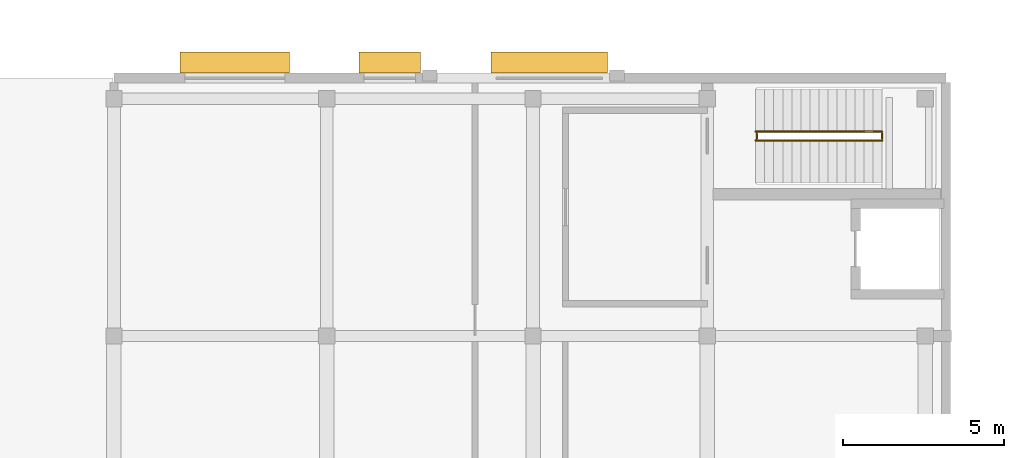
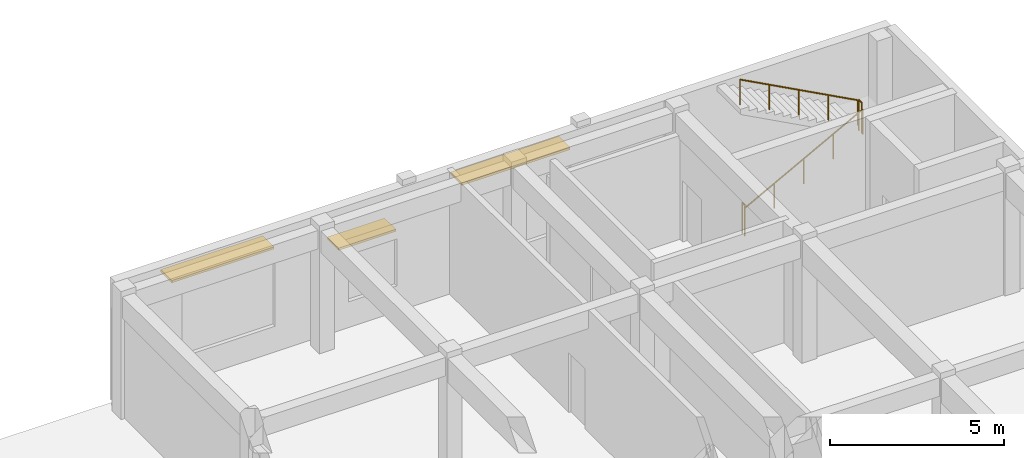
# One storey, part 43 of 45: 4 railings, 3 shading devices.
"""IFC4 building model written with IfcOpenShell, lengths in metres."""

import ifcopenshell
import ifcopenshell.guid

model = None  # the IFC model being written
_history = None  # IfcOwnerHistory: only IFC2X3 demands one
_inside = {}  # id of a spatial element -> (the spatial element, [elements in it])
_under = {}  # id of a project, library or spatial element -> (it, [spatial elements below it])
_declared = {}  # id of a project -> (the project, [libraries it declares])
_typed = {}  # id of a type object -> (the type object, [elements of that type])
_made_of = {}  # id of a material, layer set ... -> (it, [elements and type objects made of it])


def new_model(schema):
    """Start an empty IFC model of exactly this schema.

    Asked for "IFC4X3", IfcOpenShell would pick the latest addendum, in which some entities
    have other attributes; the version numbers below select the first issue.
    IFC2X3 requires an IfcOwnerHistory on every rooted entity: one is made here for all.
    """
    global model, _history
    if schema == "IFC4X3":
        model = ifcopenshell.file(schema_version=(4, 3, 0, 0))
    else:
        model = ifcopenshell.file(schema=schema)
    _inside.clear()
    _under.clear()
    _declared.clear()
    _typed.clear()
    _made_of.clear()
    _history = None
    if model.schema == "IFC2X3":
        org = make("IfcOrganization", Name="unknown")
        user = make(
            "IfcPersonAndOrganization",
            ThePerson=make("IfcPerson", FamilyName="unknown"),
            TheOrganization=org,
        )
        app = make(
            "IfcApplication",
            ApplicationDeveloper=org,
            Version="unknown",
            ApplicationFullName="unknown",
            ApplicationIdentifier="unknown",
        )
        _history = make(
            "IfcOwnerHistory",
            OwningUser=user,
            OwningApplication=app,
            ChangeAction="ADDED",
            CreationDate=0,
        )
    return model


def make(cls, **values):
    """One entity of the class cls with the attributes given. An attribute that is None is left unset."""
    return model.create_entity(
        cls, **{name: value for name, value in values.items() if value is not None}
    )


def rooted(cls, **values):
    """An entity with a GlobalId (a new one), such as an element, a storey or a relation."""
    return make(cls, GlobalId=ifcopenshell.guid.new(), OwnerHistory=_history, **values)


def si_unit(unit_type, name, prefix=None):
    """IfcSIUnit, for example si_unit("LENGTHUNIT", "METRE", prefix="MILLI")."""
    return make("IfcSIUnit", UnitType=unit_type, Prefix=prefix, Name=name)


def assignment(units):
    """IfcUnitAssignment: the units of a project."""
    return None if units is None else make("IfcUnitAssignment", Units=units)


def point(xyz):
    """IfcCartesianPoint."""
    return None if xyz is None else make("IfcCartesianPoint", Coordinates=xyz)


def direction(xyz):
    """IfcDirection."""
    return None if xyz is None else make("IfcDirection", DirectionRatios=xyz)


def frame(location, z_axis=None, x_axis=None):
    """IfcAxis2Placement3D, a coordinate frame: its origin and axes. An axis left out is left unset."""
    return make(
        "IfcAxis2Placement3D",
        Location=point(location),
        Axis=direction(z_axis),
        RefDirection=direction(x_axis),
    )


def frame_2d(location, x_axis=None):
    """IfcAxis2Placement2D, a coordinate frame in the plane: its origin and x axis."""
    return make(
        "IfcAxis2Placement2D", Location=point(location), RefDirection=direction(x_axis)
    )


def origin():
    """The frame at (0, 0, 0) with its axes left unset."""
    return frame((0.0, 0.0, 0.0))


def origin_2d():
    """The frame at (0, 0) in the plane with its x axis left unset."""
    return frame_2d((0.0, 0.0))


def place(relative_to, where):
    """IfcLocalPlacement: puts the frame where relative to a parent placement (None: the world)."""
    return make(
        "IfcLocalPlacement", PlacementRelTo=relative_to, RelativePlacement=where
    )


def context(
    kind, dimensions, precision=None, world=None, true_north=None, identifier=None
):
    """IfcGeometricRepresentationContext, for example the 3D "Model" context."""
    return make(
        "IfcGeometricRepresentationContext",
        ContextIdentifier=identifier,
        ContextType=kind,
        CoordinateSpaceDimension=dimensions,
        Precision=precision,
        WorldCoordinateSystem=world,
        TrueNorth=true_north,
    )


def subcontext(parent, identifier, kind, view, scale=None):
    """IfcGeometricRepresentationSubContext, for example "Body" below "Model"."""
    return make(
        "IfcGeometricRepresentationSubContext",
        ContextIdentifier=identifier,
        ContextType=kind,
        ParentContext=parent,
        TargetScale=scale,
        TargetView=view,
    )


def project(units=None, contexts=None):
    """IfcProject with its units and contexts."""
    return rooted(
        "IfcProject",
        Name="project",
        RepresentationContexts=contexts,
        UnitsInContext=assignment(units),
    )


def spatial(cls, under=None, at=None, **own):
    """A site, building, storey or space (cls), placed at a placement, below another one or the project."""
    s = rooted(cls, ObjectPlacement=at, **own)
    if under is not None:
        _under.setdefault(under.id(), (under, []))[1].append(s)
    return s


def profile(cls, at=None, kind="AREA", **sizes):
    """A parametric profile (cls). Its sizes go by their IFC names, for example OverallWidth=200.0."""
    return make(cls, ProfileType=kind, Position=at, **sizes)


def rectangle(**sizes):
    """IfcRectangleProfileDef."""
    return profile("IfcRectangleProfileDef", **sizes)


def circle(**sizes):
    """IfcCircleProfileDef."""
    return profile("IfcCircleProfileDef", **sizes)


def extrude(swept, where, along, depth):
    """IfcExtrudedAreaSolid: the profile swept, set in the frame where, extruded along a direction by depth."""
    return make(
        "IfcExtrudedAreaSolid",
        SweptArea=swept,
        Position=where,
        ExtrudedDirection=direction(along),
        Depth=depth,
    )


def shape(context_of_items, identifier, shape_type, items):
    """IfcShapeRepresentation: the items that make up one representation, for example the "Body"."""
    return make(
        "IfcShapeRepresentation",
        ContextOfItems=context_of_items,
        RepresentationIdentifier=identifier,
        RepresentationType=shape_type,
        Items=items,
    )


def material(Name=None, Category=None):
    """IfcMaterial."""
    return make("IfcMaterial", Name=Name, Category=Category)


def made_of(thing, what):
    """Note that an element or type object is made of a material, layer set ...; save() writes the relation."""
    if what is not None:
        _made_of.setdefault(what.id(), (what, []))[1].append(thing)
    return thing


def type_object(cls, material=None, **own):
    """A type object (cls), such as IfcWallType, which elements share."""
    return made_of(rooted(cls, **own), material)


def element(
    cls,
    number,
    at=None,
    inside=None,
    cuts=None,
    type_object=None,
    material=None,
    context=None,
    identifier="Body",
    shape_type=None,
    held_by="IfcProductDefinitionShape",
    body=None,
    shapes=None,
    **own,
):
    """One element of the class cls, such as IfcWall. Its Tag is "e" and its number.

    at: its placement. inside: the storey or other place that contains it. cuts: it is an
    opening in that element (IfcRelVoidsElement). A single representation is given by context,
    identifier, shape_type and body (its items); several are given by shapes. held_by: the class
    of the entity that holds the representations. save() writes the other relations.
    """
    e = rooted(cls, Tag="e%d" % number, ObjectPlacement=at, **own)
    if body is not None:
        shapes = [shape(context, identifier, shape_type, body)]
    if shapes is not None:
        e.Representation = make(held_by, Representations=shapes)
    if inside is not None:
        _inside.setdefault(inside.id(), (inside, []))[1].append(e)
    if cuts is not None:
        rooted(
            "IfcRelVoidsElement", RelatingBuildingElement=cuts, RelatedOpeningElement=e
        )
    if type_object is not None:
        _typed.setdefault(type_object.id(), (type_object, []))[1].append(e)
    return made_of(e, material)


def aggregate(whole, parts):
    """IfcRelAggregates: a whole, such as a stair, and the parts it consists of."""
    return rooted("IfcRelAggregates", RelatingObject=whole, RelatedObjects=parts)


def save(model, path):
    """Write the relations noted so far, then the file.

    IfcRelAggregates (storeys below a building ...), IfcRelContainedInSpatialStructure (elements
    in a storey), IfcRelDefinesByType, IfcRelAssociatesMaterial and IfcRelDeclares: one each for
    every whole, place, type object, material and project.
    """
    for whole, parts in _under.values():
        aggregate(whole, parts)
    for where, things in _inside.values():
        rooted(
            "IfcRelContainedInSpatialStructure",
            RelatedElements=things,
            RelatingStructure=where,
        )
    for kind, things in _typed.values():
        rooted("IfcRelDefinesByType", RelatedObjects=things, RelatingType=kind)
    for what, things in _made_of.values():
        rooted("IfcRelAssociatesMaterial", RelatedObjects=things, RelatingMaterial=what)
    for by, libraries in _declared.values():
        rooted("IfcRelDeclares", RelatingContext=by, RelatedDefinitions=libraries)
    model.write(path)


model = new_model("IFC4")

# Units and contexts
model_context = context("Model", 3, precision=1e-05, world=origin(), true_north=direction((0.0, 1.0)))
body_context = subcontext(model_context, "Body", "Model", "MODEL_VIEW")
ifc_project = project(units=[si_unit("LENGTHUNIT", "METRE"), si_unit("AREAUNIT", "SQUARE_METRE"), si_unit("VOLUMEUNIT", "CUBIC_METRE"), si_unit("PLANEANGLEUNIT", "RADIAN"), si_unit("MASSUNIT", "GRAM", prefix="KILO")], contexts=[model_context])

# Site, building, storey
site_placement = place(None, origin())
site = spatial("IfcSite", under=ifc_project, at=site_placement, CompositionType="ELEMENT")
building_placement = place(site_placement, origin())
building = spatial("IfcBuilding", under=site, at=building_placement, Name="Cinchona Park Media Centre", CompositionType="ELEMENT")
storey_placement = place(building_placement, frame((0.0, 0.0, 20.39990234375)))
storey = spatial("IfcBuildingStorey", under=building, at=storey_placement, Name="L04", CompositionType="ELEMENT", Elevation=20.39990234375)

# Railings
ifc_material_1 = material(Name="Painted Steel Stairwell Guardrail", Category="steel")
railing_type_1 = type_object("IfcRailingType", Name="RAILING-GR02", PredefinedType="GUARDRAIL", material=ifc_material_1)
for number, where, name in (
    (1, (166.135009765625, 116.1201171875, 0.0), "Stairwell Guardrail GR02 ST2 L04"),
    (2, (170.02001953125, 116.1201171875, 2.25), "Half-Landing Guardrail GR02 ST2 L04"),
):
    element("IfcRailing", number, at=place(storey_placement, frame(where)), inside=storey, type_object=railing_type_1, Name=name, PredefinedType="GUARDRAIL", context=body_context, shape_type="SweptSolid", body=[
        extrude(circle(Radius=0.02392578125, at=origin_2d()), frame((0.0, 0.0, 1.076171875), z_axis=(0.0, 1.0, 0.0), x_axis=(-1.0, 0.0, 0.0)), (0.0, 0.0, 1.0), 0.159912109375),
        extrude(circle(Radius=0.02099609375, at=origin_2d()), origin(), (0.0, 0.0, 1.0), 1.052001953125),
        extrude(circle(Radius=0.02099609375, at=origin_2d()), frame((0.0, 0.159912109375, 0.0)), (0.0, 0.0, 1.0), 1.052001953125),
    ])
ifc_material_2 = material(Name="Brushed Stainless Steel Handrail", Category="steel")
railing_type_2 = type_object("IfcRailingType", Name="RAILING-HR01", PredefinedType="HANDRAIL", material=ifc_material_2)
railing_1_placement = place(storey_placement, frame((166.10009765625, 116.06005859375, 0.150146484375)))
element("IfcRailing", 3, at=railing_1_placement, inside=storey, type_object=railing_type_2, Name="Stair Handrail HR01 ST2 L04 F1", PredefinedType="HANDRAIL", context=body_context, shape_type="SweptSolid", body=[
    extrude(circle(Radius=0.02392578125, at=origin_2d()), frame((0.0, 0.0, 0.8759765625), z_axis=(0.881489763865, 0.0, 0.472203130232), x_axis=(0.0, 1.0, 0.0)), (0.0, 0.0, 1.0), 4.447021484375),
    extrude(circle(Radius=0.02099609375, at=origin_2d()), origin(), (0.0, 0.0, 1.0), 0.851806640625),
    extrude(circle(Radius=0.02099609375, at=origin_2d()), frame((0.97998046875, 0.0, 0.52490234375)), (0.0, 0.0, 1.0), 0.851806640625),
    extrude(circle(Radius=0.02099609375, at=origin_2d()), frame((1.9599609375, 0.0, 1.0498046875)), (0.0, 0.0, 1.0), 0.851806640625),
    extrude(circle(Radius=0.02099609375, at=origin_2d()), frame((2.93994140625, 0.0, 1.574951171875)), (0.0, 0.0, 1.0), 0.851806640625),
    extrude(circle(Radius=0.02099609375, at=origin_2d()), frame((3.919921875, 0.0, 2.099853515625)), (0.0, 0.0, 1.0), 0.851806640625),
])
railing_2_placement = place(storey_placement, frame((170.02001953125, 116.340087890625, 2.400146484375)))
element("IfcRailing", 4, at=railing_2_placement, inside=storey, type_object=railing_type_2, Name="Stair Handrail HR01 ST2 L04 F2", PredefinedType="HANDRAIL", context=body_context, shape_type="SweptSolid", body=[
    extrude(circle(Radius=0.02392578125, at=origin_2d()), frame((0.0, 0.0, 0.8759765625), z_axis=(-0.881489763865, 0.0, 0.472203130232), x_axis=(0.0, -1.0, 0.0)), (0.0, 0.0, 1.0), 4.447021484375),
    extrude(circle(Radius=0.02099609375, at=origin_2d()), origin(), (0.0, 0.0, 1.0), 0.851806640625),
    extrude(circle(Radius=0.02099609375, at=origin_2d()), frame((-0.97998046875, 0.0, 0.52490234375)), (0.0, 0.0, 1.0), 0.851806640625),
    extrude(circle(Radius=0.02099609375, at=origin_2d()), frame((-1.9599609375, 0.0, 1.0498046875)), (0.0, 0.0, 1.0), 0.851806640625),
    extrude(circle(Radius=0.02099609375, at=origin_2d()), frame((-2.93994140625, 0.0, 1.574951171875)), (0.0, 0.0, 1.0), 0.851806640625),
    extrude(circle(Radius=0.02099609375, at=origin_2d()), frame((-3.919921875, 0.0, 2.099853515625)), (0.0, 0.0, 1.0), 0.851806640625),
])

# Shading devices
ifc_material_3 = material(Name="Anodised Aluminium Horizontal Brise-Soleil", Category="aluminium")
shading_device_type = type_object("IfcShadingDeviceType", Name="SHADING-SUN01", PredefinedType="AWNING", material=ifc_material_3)
shading_device_1_placement = place(storey_placement, frame((149.949951171875, 118.47998046875, 3.3701171875), z_axis=(0.0, 0.0, 1.0), x_axis=(1.0, 0.0, 0.0)))
element("IfcShadingDevice", 5, at=shading_device_1_placement, inside=storey, type_object=shading_device_type, Name="Horizontal Sunshade SHD02 L04", PredefinedType="AWNING", context=body_context, shape_type="SweptSolid", body=[
    extrude(rectangle(XDim=3.39990234375, YDim=0.64990234375, at=origin_2d()), origin(), (0.0, 0.0, 1.0), 0.080078125),
])
shading_device_2_placement = place(storey_placement, frame((154.75, 118.47998046875, 2.570068359375), z_axis=(0.0, 0.0, 1.0), x_axis=(1.0, 0.0, 0.0)))
element("IfcShadingDevice", 6, at=shading_device_2_placement, inside=storey, type_object=shading_device_type, Name="Horizontal Sunshade SHD02 L04", PredefinedType="AWNING", context=body_context, shape_type="SweptSolid", body=[
    extrude(rectangle(XDim=1.89990234375, YDim=0.64990234375, at=origin_2d()), origin(), (0.0, 0.0, 1.0), 0.080078125),
])
shading_device_3_placement = place(storey_placement, frame((159.699951171875, 118.47998046875, 3.420166015625), z_axis=(0.0, 0.0, 1.0), x_axis=(1.0, 0.0, 0.0)))
element("IfcShadingDevice", 7, at=shading_device_3_placement, inside=storey, type_object=shading_device_type, Name="Horizontal Sunshade SHD02 L04", PredefinedType="AWNING", context=body_context, shape_type="SweptSolid", body=[
    extrude(rectangle(XDim=3.60009765625, YDim=0.64990234375, at=origin_2d()), origin(), (0.0, 0.0, 1.0), 0.080078125),
])

save(model, "model.ifc")
